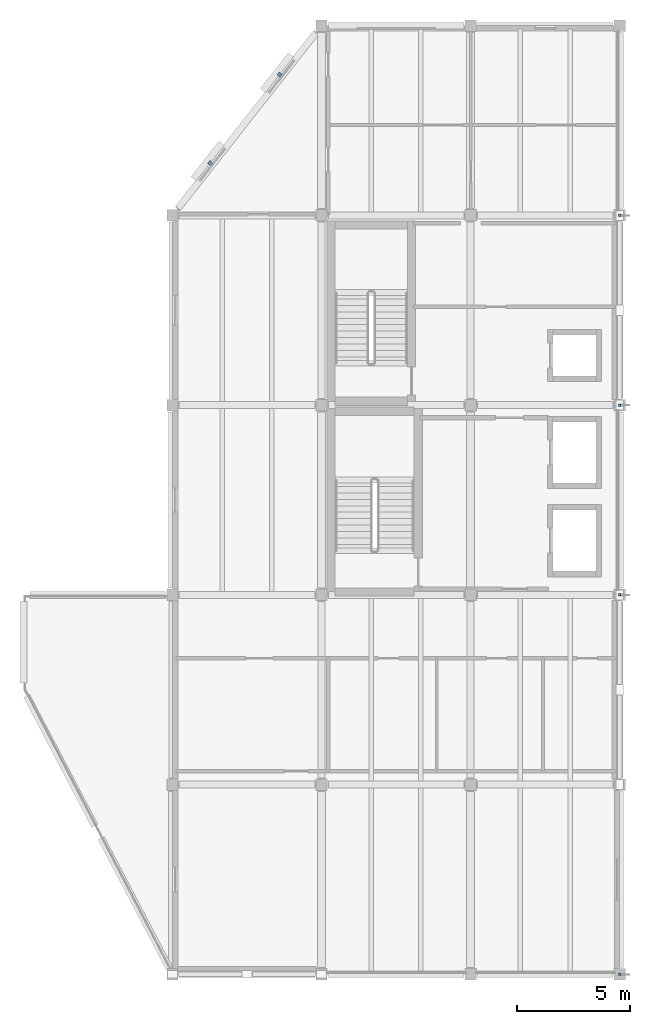
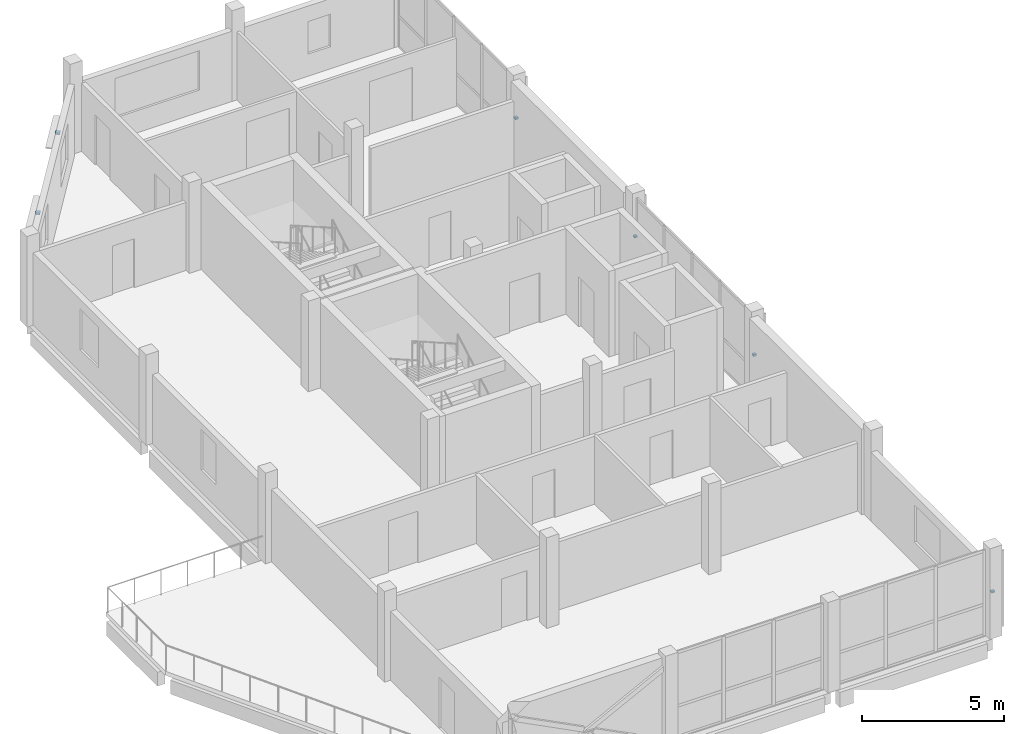
# One storey, part 7 of 9: 6 discrete accessories.
"""IFC4 building model written with IfcOpenShell, lengths in metres."""

from ifc_helpers import new_model, si_unit, direction, frame, origin, origin_2d, place, context, subcontext, project, spatial, rectangle, extrude, material, layer, layer_set, type_object, element, save


model = new_model("IFC4")

# Units and contexts
model_context = context("Model", 3, precision=1e-05, world=origin(), true_north=direction((0.0, 1.0)))
body_context = subcontext(model_context, "Body", "Model", "MODEL_VIEW")
ifc_project = project(units=[si_unit("LENGTHUNIT", "METRE"), si_unit("AREAUNIT", "SQUARE_METRE"), si_unit("VOLUMEUNIT", "CUBIC_METRE"), si_unit("PLANEANGLEUNIT", "RADIAN"), si_unit("MASSUNIT", "GRAM", prefix="KILO")], contexts=[model_context])

# Site, building, storey
site_placement = place(None, origin())
site = spatial("IfcSite", under=ifc_project, at=site_placement, CompositionType="ELEMENT")
building_placement = place(site_placement, origin())
building = spatial("IfcBuilding", under=site, at=building_placement, Name="Qaldarim Faculty of Natural and Applied Sciences", CompositionType="ELEMENT")
storey_placement = place(building_placement, frame((0.0, 0.0, 43.199951171875)))
storey = spatial("IfcBuildingStorey", under=building, at=storey_placement, Name="L10", CompositionType="ELEMENT", Elevation=43.199951171875)

# Discrete accessories
ifc_material = material(Name="Architectural stainless steel 316", Category="steel")
ifc_layer = layer(ifc_material, 0.080078125)
ifc_layer_set = layer_set([ifc_layer], Name="Architectural stainless steel 316")
discrete_accessory_type = type_object("IfcDiscreteAccessoryType", Name="FacadeBracket-SS120", PredefinedType="BRACKET", material=ifc_layer_set)
for number, where, z_axis, x_axis, name in (
    (1, (160.070068359375, 35.919921875, 2.659912109375), (0.0, 0.0, 1.0), (0.617818442277, 0.786320782112, 0.0), "Oblique solar louvre bracket SHD-OBL-NW-L10-1"),
    (2, (163.139892578125, 39.830078125, 2.659912109375), (0.0, 0.0, 1.0), (0.617818442277, 0.786320782112, 0.0), "Oblique solar louvre bracket SHD-OBL-NW-L10-2"),
):
    element("IfcDiscreteAccessory", number, at=place(storey_placement, frame(where, z_axis=z_axis, x_axis=x_axis)), inside=storey, type_object=discrete_accessory_type, Name=name, PredefinedType="BRACKET", context=body_context, shape_type="SweptSolid", body=[
        extrude(rectangle(XDim=0.159912109375, YDim=0.159912109375, at=origin_2d()), origin(), (0.0, 0.0, 1.0), 0.080078125),
    ])
for number, where, z_axis, x_axis, name in (
    (3, (178.199951171875, 0.0, 1.800048828125), (0.0, 0.0, 1.0), (1.0, 0.0, 0.0), "Tower fin bracket FIN-V5E-L10-Y01"),
    (4, (178.199951171875, 16.800048828125, 1.800048828125), (0.0, 0.0, 1.0), (1.0, 0.0, 0.0), "Tower fin bracket FIN-V5E-L10-Y03"),
    (5, (178.199951171875, 25.199951171875, 1.800048828125), (0.0, 0.0, 1.0), (1.0, 0.0, 0.0), "Tower fin bracket FIN-V5E-L10-Y04"),
    (6, (178.199951171875, 33.60009765625, 1.800048828125), (0.0, 0.0, 1.0), (1.0, 0.0, 0.0), "Tower fin bracket FIN-V5E-L10-Y05"),
):
    element("IfcDiscreteAccessory", number, at=place(storey_placement, frame(where, z_axis=z_axis, x_axis=x_axis)), inside=storey, type_object=discrete_accessory_type, Name=name, PredefinedType="BRACKET", context=body_context, shape_type="SweptSolid", body=[
        extrude(rectangle(XDim=0.1201171875, YDim=0.1201171875, at=origin_2d()), origin(), (0.0, 0.0, 1.0), 0.080078125),
    ])

save(model, "model.ifc")
